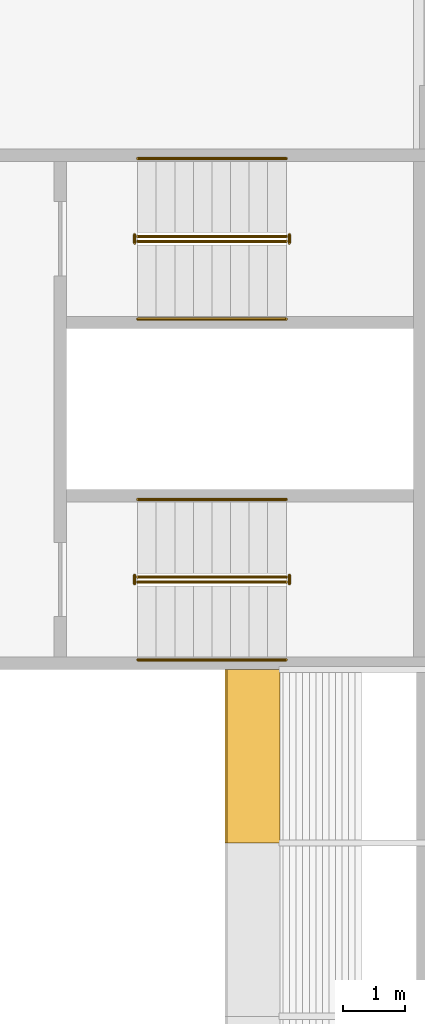
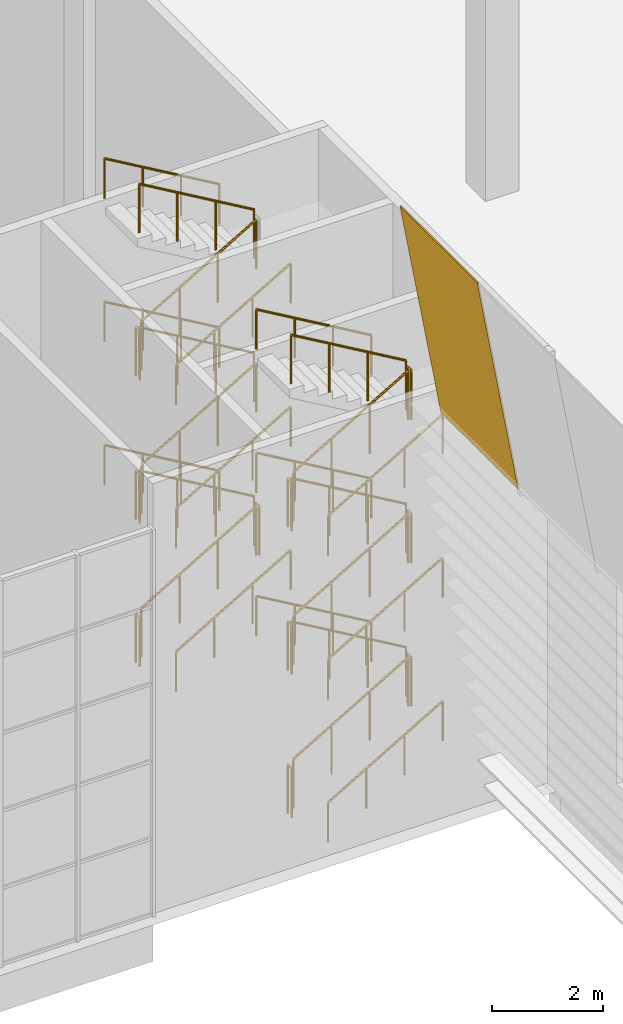
# One storey, part 102 of 114: 34 railings, 1 covering.
"""IFC4 building model written with IfcOpenShell, lengths in metres."""

from ifc_helpers import new_model, si_unit, direction, frame, origin, origin_2d, place, context, subcontext, project, spatial, polyline, circle, outline, extrude, material, layer, layer_set, type_object, element, save


model = new_model("IFC4")

# Units and contexts
model_context = context("Model", 3, precision=1e-05, world=origin(), true_north=direction((0.0, 1.0)))
body_context = subcontext(model_context, "Body", "Model", "MODEL_VIEW")
ifc_project = project(units=[si_unit("LENGTHUNIT", "METRE"), si_unit("AREAUNIT", "SQUARE_METRE"), si_unit("VOLUMEUNIT", "CUBIC_METRE"), si_unit("PLANEANGLEUNIT", "RADIAN"), si_unit("MASSUNIT", "GRAM", prefix="KILO")], contexts=[model_context])

# Site, building, storey
site_placement = place(None, origin())
site = spatial("IfcSite", under=ifc_project, at=site_placement, CompositionType="ELEMENT")
building_placement = place(site_placement, origin())
building = spatial("IfcBuilding", under=site, at=building_placement, Name="Almond Square Museum", CompositionType="ELEMENT")
storey_placement = place(building_placement, frame((0.0, 0.0, 10.5)))
storey = spatial("IfcBuildingStorey", under=building, at=storey_placement, Name="L02", CompositionType="ELEMENT", Elevation=10.5)

# Covering
ifc_material_1 = material(Name="Cedar timber sheathing panel", Category="wood")
ifc_layer = layer(ifc_material_1, 0.030029296875)
ifc_layer_set = layer_set([ifc_layer], Name="Cedar timber sheathing panel")
covering_type = type_object("IfcCoveringType", Name="Louvre rain-screen backing panel 30", PredefinedType="CLADDING", material=ifc_layer_set)
covering_placement = place(storey_placement, frame((104.435302734375, 64.39990234375, 8.969970703125), z_axis=(0.984808947576, 0.0, 0.173641402823), x_axis=(0.0, 1.0, 0.0)))
element("IfcCovering", 1, at=covering_placement, inside=storey, type_object=covering_type, Name="Louvre rain-screen backing panel W06.05", PredefinedType="CLADDING", context=body_context, shape_type="SweptSolid", body=[
    extrude(outline(polyline([(0.0, 0.0), (2.800048828125, 0.0), (2.800048828125, 4.935076426587713), (0.0, 4.935076426587713), (0.0, 0.0)])), frame((0.0, 0.0, -0.01513671875)), (0.0, 0.0, 1.0), 0.030029296875),
])

# Railings
ifc_material_2 = material(Name="Stainless steel and laminated glass", Category="steel")
railing_type_1 = type_object("IfcRailingType", Name="Stair guard 1100 steel and glass", PredefinedType="GUARDRAIL", material=ifc_material_2)
railing_1_placement = place(storey_placement, frame((102.14990234375, 68.610107421875, 0.176025390625)))
element("IfcRailing", 2, at=railing_1_placement, inside=storey, type_object=railing_type_1, Name="L02 ST-11 stair guard 1", PredefinedType="GUARDRAIL", context=body_context, shape_type="SweptSolid", body=[
    extrude(circle(Radius=0.02392578125, at=origin_2d()), frame((0.0, 0.0, 1.076171875), z_axis=(0.862659684245, 0.0, 0.505784805207), x_axis=(0.0, 1.0, 0.0)), (0.0, 0.0, 1.0), 2.7822265625),
    extrude(circle(Radius=0.02099609375, at=origin_2d()), origin(), (0.0, 0.0, 1.0), 1.052001953125),
    extrude(circle(Radius=0.02099609375, at=origin_2d()), frame((0.800048828125, 0.0, 0.468994140625)), (0.0, 0.0, 1.0), 1.052001953125),
    extrude(circle(Radius=0.02099609375, at=origin_2d()), frame((1.60009765625, 0.0, 0.938232421875)), (0.0, 0.0, 1.0), 1.052001953125),
    extrude(circle(Radius=0.02099609375, at=origin_2d()), frame((2.400146484375, 0.0, 1.4072265625)), (0.0, 0.0, 1.0), 1.052001953125),
])
railing_2_placement = place(storey_placement, frame((104.60009765625, 68.580078125, 1.583251953125)))
element("IfcRailing", 3, at=railing_2_placement, inside=storey, type_object=railing_type_1, Name="L02 ST-11 stair guard 2", PredefinedType="GUARDRAIL", context=body_context, shape_type="SweptSolid", body=[
    extrude(circle(Radius=0.02392578125, at=origin_2d()), frame((0.0, 0.0, 1.076171875), z_axis=(0.0, 1.0, 0.0), x_axis=(-1.0, 0.0, 0.0)), (0.0, 0.0, 1.0), 0.139892578125),
    extrude(circle(Radius=0.02099609375, at=origin_2d()), origin(), (0.0, 0.0, 1.0), 1.052001953125),
    extrude(circle(Radius=0.02099609375, at=origin_2d()), frame((0.0, 0.139892578125, 0.0)), (0.0, 0.0, 1.0), 1.052001953125),
])
railing_3_placement = place(storey_placement, frame((104.550048828125, 68.68994140625, 1.75927734375)))
element("IfcRailing", 4, at=railing_3_placement, inside=storey, type_object=railing_type_1, Name="L02 ST-11 stair guard 3", PredefinedType="GUARDRAIL", context=body_context, shape_type="SweptSolid", body=[
    extrude(circle(Radius=0.02392578125, at=origin_2d()), frame((0.0, 0.0, 1.076171875), z_axis=(-0.862621396848, 0.0, 0.505850102007), x_axis=(0.0, -1.0, 0.0)), (0.0, 0.0, 1.0), 2.782470703125),
    extrude(circle(Radius=0.02099609375, at=origin_2d()), origin(), (0.0, 0.0, 1.0), 1.052001953125),
    extrude(circle(Radius=0.02099609375, at=origin_2d()), frame((-0.800048828125, 0.0, 0.46923828125)), (0.0, 0.0, 1.0), 1.052001953125),
    extrude(circle(Radius=0.02099609375, at=origin_2d()), frame((-1.60009765625, 0.0, 0.938232421875)), (0.0, 0.0, 1.0), 1.052001953125),
    extrude(circle(Radius=0.02099609375, at=origin_2d()), frame((-2.400146484375, 0.0, 1.407470703125)), (0.0, 0.0, 1.0), 1.052001953125),
])
railing_4_placement = place(storey_placement, frame((102.10009765625, 68.580078125, 3.166748046875)))
element("IfcRailing", 5, at=railing_4_placement, inside=storey, type_object=railing_type_1, Name="L02 ST-11 stair guard 4", PredefinedType="GUARDRAIL", context=body_context, shape_type="SweptSolid", body=[
    extrude(circle(Radius=0.02392578125, at=origin_2d()), frame((0.0, 0.0, 1.076171875), z_axis=(0.0, 1.0, 0.0), x_axis=(-1.0, 0.0, 0.0)), (0.0, 0.0, 1.0), 0.139892578125),
    extrude(circle(Radius=0.02099609375, at=origin_2d()), origin(), (0.0, 0.0, 1.0), 1.052001953125),
    extrude(circle(Radius=0.02099609375, at=origin_2d()), frame((0.0, 0.139892578125, 0.0)), (0.0, 0.0, 1.0), 1.052001953125),
])
railing_5_placement = place(storey_placement, frame((102.14990234375, 68.610107421875, 3.342529296875)))
element("IfcRailing", 6, at=railing_5_placement, inside=storey, type_object=railing_type_1, Name="L02 ST-11 stair guard 5", PredefinedType="GUARDRAIL", context=body_context, shape_type="SweptSolid", body=[
    extrude(circle(Radius=0.02392578125, at=origin_2d()), frame((0.0, 0.0, 1.076171875), z_axis=(0.862621396848, 0.0, 0.505850102007), x_axis=(0.0, 1.0, 0.0)), (0.0, 0.0, 1.0), 2.782470703125),
    extrude(circle(Radius=0.02099609375, at=origin_2d()), origin(), (0.0, 0.0, 1.0), 1.052001953125),
    extrude(circle(Radius=0.02099609375, at=origin_2d()), frame((0.800048828125, 0.0, 0.46923828125)), (0.0, 0.0, 1.0), 1.052001953125),
    extrude(circle(Radius=0.02099609375, at=origin_2d()), frame((1.60009765625, 0.0, 0.938232421875)), (0.0, 0.0, 1.0), 1.052001953125),
    extrude(circle(Radius=0.02099609375, at=origin_2d()), frame((2.400146484375, 0.0, 1.407470703125)), (0.0, 0.0, 1.0), 1.052001953125),
])
railing_6_placement = place(storey_placement, frame((104.60009765625, 68.580078125, 4.75)))
element("IfcRailing", 7, at=railing_6_placement, inside=storey, type_object=railing_type_1, Name="L02 ST-11 stair guard 6", PredefinedType="GUARDRAIL", context=body_context, shape_type="SweptSolid", body=[
    extrude(circle(Radius=0.02392578125, at=origin_2d()), frame((0.0, 0.0, 1.076171875), z_axis=(0.0, 1.0, 0.0), x_axis=(-1.0, 0.0, 0.0)), (0.0, 0.0, 1.0), 0.139892578125),
    extrude(circle(Radius=0.02099609375, at=origin_2d()), origin(), (0.0, 0.0, 1.0), 1.052001953125),
    extrude(circle(Radius=0.02099609375, at=origin_2d()), frame((0.0, 0.139892578125, 0.0)), (0.0, 0.0, 1.0), 1.052001953125),
])
railing_7_placement = place(storey_placement, frame((104.550048828125, 68.68994140625, 4.926025390625)))
element("IfcRailing", 8, at=railing_7_placement, inside=storey, type_object=railing_type_1, Name="L02 ST-11 stair guard 7", PredefinedType="GUARDRAIL", context=body_context, shape_type="SweptSolid", body=[
    extrude(circle(Radius=0.02392578125, at=origin_2d()), frame((0.0, 0.0, 1.076171875), z_axis=(-0.862659684245, 0.0, 0.505784805207), x_axis=(0.0, -1.0, 0.0)), (0.0, 0.0, 1.0), 2.7822265625),
    extrude(circle(Radius=0.02099609375, at=origin_2d()), origin(), (0.0, 0.0, 1.0), 1.052001953125),
    extrude(circle(Radius=0.02099609375, at=origin_2d()), frame((-0.800048828125, 0.0, 0.468994140625)), (0.0, 0.0, 1.0), 1.052001953125),
    extrude(circle(Radius=0.02099609375, at=origin_2d()), frame((-1.60009765625, 0.0, 0.938232421875)), (0.0, 0.0, 1.0), 1.052001953125),
    extrude(circle(Radius=0.02099609375, at=origin_2d()), frame((-2.400146484375, 0.0, 1.4072265625)), (0.0, 0.0, 1.0), 1.052001953125),
])
railing_8_placement = place(storey_placement, frame((102.10009765625, 68.580078125, 6.333251953125)))
element("IfcRailing", 9, at=railing_8_placement, inside=storey, type_object=railing_type_1, Name="L02 ST-11 stair guard 8", PredefinedType="GUARDRAIL", context=body_context, shape_type="SweptSolid", body=[
    extrude(circle(Radius=0.02392578125, at=origin_2d()), frame((0.0, 0.0, 1.076171875), z_axis=(0.0, 1.0, 0.0), x_axis=(-1.0, 0.0, 0.0)), (0.0, 0.0, 1.0), 0.139892578125),
    extrude(circle(Radius=0.02099609375, at=origin_2d()), origin(), (0.0, 0.0, 1.0), 1.052001953125),
    extrude(circle(Radius=0.02099609375, at=origin_2d()), frame((0.0, 0.139892578125, 0.0)), (0.0, 0.0, 1.0), 1.052001953125),
])
railing_9_placement = place(storey_placement, frame((102.14990234375, 68.610107421875, 6.50927734375)))
element("IfcRailing", 10, at=railing_9_placement, inside=storey, type_object=railing_type_1, Name="L02 ST-11 stair guard 9", PredefinedType="GUARDRAIL", context=body_context, shape_type="SweptSolid", body=[
    extrude(circle(Radius=0.02392578125, at=origin_2d()), frame((0.0, 0.0, 1.076171875), z_axis=(0.862621396848, 0.0, 0.505850102007), x_axis=(0.0, 1.0, 0.0)), (0.0, 0.0, 1.0), 2.782470703125),
    extrude(circle(Radius=0.02099609375, at=origin_2d()), origin(), (0.0, 0.0, 1.0), 1.052001953125),
    extrude(circle(Radius=0.02099609375, at=origin_2d()), frame((0.800048828125, 0.0, 0.46923828125)), (0.0, 0.0, 1.0), 1.052001953125),
    extrude(circle(Radius=0.02099609375, at=origin_2d()), frame((1.60009765625, 0.0, 0.938232421875)), (0.0, 0.0, 1.0), 1.052001953125),
    extrude(circle(Radius=0.02099609375, at=origin_2d()), frame((2.400146484375, 0.0, 1.407470703125)), (0.0, 0.0, 1.0), 1.052001953125),
])
railing_10_placement = place(storey_placement, frame((104.60009765625, 68.580078125, 7.916748046875)))
element("IfcRailing", 11, at=railing_10_placement, inside=storey, type_object=railing_type_1, Name="L02 ST-11 stair guard 10", PredefinedType="GUARDRAIL", context=body_context, shape_type="SweptSolid", body=[
    extrude(circle(Radius=0.02392578125, at=origin_2d()), frame((0.0, 0.0, 1.076171875), z_axis=(0.0, 1.0, 0.0), x_axis=(-1.0, 0.0, 0.0)), (0.0, 0.0, 1.0), 0.139892578125),
    extrude(circle(Radius=0.02099609375, at=origin_2d()), origin(), (0.0, 0.0, 1.0), 1.052001953125),
    extrude(circle(Radius=0.02099609375, at=origin_2d()), frame((0.0, 0.139892578125, 0.0)), (0.0, 0.0, 1.0), 1.052001953125),
])
railing_11_placement = place(storey_placement, frame((104.550048828125, 68.68994140625, 8.092529296875)))
element("IfcRailing", 12, at=railing_11_placement, inside=storey, type_object=railing_type_1, Name="L02 ST-11 stair guard 11", PredefinedType="GUARDRAIL", context=body_context, shape_type="SweptSolid", body=[
    extrude(circle(Radius=0.02392578125, at=origin_2d()), frame((0.0, 0.0, 1.076171875), z_axis=(-0.862621396848, 0.0, 0.505850102007), x_axis=(0.0, -1.0, 0.0)), (0.0, 0.0, 1.0), 2.782470703125),
    extrude(circle(Radius=0.02099609375, at=origin_2d()), origin(), (0.0, 0.0, 1.0), 1.052001953125),
    extrude(circle(Radius=0.02099609375, at=origin_2d()), frame((-0.800048828125, 0.0, 0.46923828125)), (0.0, 0.0, 1.0), 1.052001953125),
    extrude(circle(Radius=0.02099609375, at=origin_2d()), frame((-1.60009765625, 0.0, 0.938232421875)), (0.0, 0.0, 1.0), 1.052001953125),
    extrude(circle(Radius=0.02099609375, at=origin_2d()), frame((-2.400146484375, 0.0, 1.407470703125)), (0.0, 0.0, 1.0), 1.052001953125),
])
railing_12_placement = place(storey_placement, frame((102.10009765625, 68.580078125, 0.0)))
element("IfcRailing", 13, at=railing_12_placement, inside=storey, type_object=railing_type_1, Name="L02 ST-11 stair guard 12", PredefinedType="GUARDRAIL", context=body_context, shape_type="SweptSolid", body=[
    extrude(circle(Radius=0.02392578125, at=origin_2d()), frame((0.0, 0.0, 1.076171875), z_axis=(0.0, 1.0, 0.0), x_axis=(-1.0, 0.0, 0.0)), (0.0, 0.0, 1.0), 0.139892578125),
    extrude(circle(Radius=0.02099609375, at=origin_2d()), origin(), (0.0, 0.0, 1.0), 1.052001953125),
    extrude(circle(Radius=0.02099609375, at=origin_2d()), frame((0.0, 0.139892578125, 0.0)), (0.0, 0.0, 1.0), 1.052001953125),
])
railing_13_placement = place(storey_placement, frame((102.14990234375, 74.110107421875, 0.176025390625)))
element("IfcRailing", 14, at=railing_13_placement, inside=storey, type_object=railing_type_1, Name="L02 ST-12 stair guard 1", PredefinedType="GUARDRAIL", context=body_context, shape_type="SweptSolid", body=[
    extrude(circle(Radius=0.02392578125, at=origin_2d()), frame((0.0, 0.0, 1.076171875), z_axis=(0.862659684245, 0.0, 0.505784805207), x_axis=(0.0, 1.0, 0.0)), (0.0, 0.0, 1.0), 2.7822265625),
    extrude(circle(Radius=0.02099609375, at=origin_2d()), origin(), (0.0, 0.0, 1.0), 1.052001953125),
    extrude(circle(Radius=0.02099609375, at=origin_2d()), frame((0.800048828125, 0.0, 0.468994140625)), (0.0, 0.0, 1.0), 1.052001953125),
    extrude(circle(Radius=0.02099609375, at=origin_2d()), frame((1.60009765625, 0.0, 0.938232421875)), (0.0, 0.0, 1.0), 1.052001953125),
    extrude(circle(Radius=0.02099609375, at=origin_2d()), frame((2.400146484375, 0.0, 1.4072265625)), (0.0, 0.0, 1.0), 1.052001953125),
])
railing_14_placement = place(storey_placement, frame((104.60009765625, 74.080078125, 1.583251953125)))
element("IfcRailing", 15, at=railing_14_placement, inside=storey, type_object=railing_type_1, Name="L02 ST-12 stair guard 2", PredefinedType="GUARDRAIL", context=body_context, shape_type="SweptSolid", body=[
    extrude(circle(Radius=0.02392578125, at=origin_2d()), frame((0.0, 0.0, 1.076171875), z_axis=(0.0, 1.0, 0.0), x_axis=(-1.0, 0.0, 0.0)), (0.0, 0.0, 1.0), 0.139892578125),
    extrude(circle(Radius=0.02099609375, at=origin_2d()), origin(), (0.0, 0.0, 1.0), 1.052001953125),
    extrude(circle(Radius=0.02099609375, at=origin_2d()), frame((0.0, 0.139892578125, 0.0)), (0.0, 0.0, 1.0), 1.052001953125),
])
railing_15_placement = place(storey_placement, frame((104.550048828125, 74.18994140625, 1.75927734375)))
element("IfcRailing", 16, at=railing_15_placement, inside=storey, type_object=railing_type_1, Name="L02 ST-12 stair guard 3", PredefinedType="GUARDRAIL", context=body_context, shape_type="SweptSolid", body=[
    extrude(circle(Radius=0.02392578125, at=origin_2d()), frame((0.0, 0.0, 1.076171875), z_axis=(-0.862621396848, 0.0, 0.505850102007), x_axis=(0.0, -1.0, 0.0)), (0.0, 0.0, 1.0), 2.782470703125),
    extrude(circle(Radius=0.02099609375, at=origin_2d()), origin(), (0.0, 0.0, 1.0), 1.052001953125),
    extrude(circle(Radius=0.02099609375, at=origin_2d()), frame((-0.800048828125, 0.0, 0.46923828125)), (0.0, 0.0, 1.0), 1.052001953125),
    extrude(circle(Radius=0.02099609375, at=origin_2d()), frame((-1.60009765625, 0.0, 0.938232421875)), (0.0, 0.0, 1.0), 1.052001953125),
    extrude(circle(Radius=0.02099609375, at=origin_2d()), frame((-2.400146484375, 0.0, 1.407470703125)), (0.0, 0.0, 1.0), 1.052001953125),
])
railing_16_placement = place(storey_placement, frame((102.10009765625, 74.080078125, 3.166748046875)))
element("IfcRailing", 17, at=railing_16_placement, inside=storey, type_object=railing_type_1, Name="L02 ST-12 stair guard 4", PredefinedType="GUARDRAIL", context=body_context, shape_type="SweptSolid", body=[
    extrude(circle(Radius=0.02392578125, at=origin_2d()), frame((0.0, 0.0, 1.076171875), z_axis=(0.0, 1.0, 0.0), x_axis=(-1.0, 0.0, 0.0)), (0.0, 0.0, 1.0), 0.139892578125),
    extrude(circle(Radius=0.02099609375, at=origin_2d()), origin(), (0.0, 0.0, 1.0), 1.052001953125),
    extrude(circle(Radius=0.02099609375, at=origin_2d()), frame((0.0, 0.139892578125, 0.0)), (0.0, 0.0, 1.0), 1.052001953125),
])
railing_17_placement = place(storey_placement, frame((102.14990234375, 74.110107421875, 3.342529296875)))
element("IfcRailing", 18, at=railing_17_placement, inside=storey, type_object=railing_type_1, Name="L02 ST-12 stair guard 5", PredefinedType="GUARDRAIL", context=body_context, shape_type="SweptSolid", body=[
    extrude(circle(Radius=0.02392578125, at=origin_2d()), frame((0.0, 0.0, 1.076171875), z_axis=(0.862621396848, 0.0, 0.505850102007), x_axis=(0.0, 1.0, 0.0)), (0.0, 0.0, 1.0), 2.782470703125),
    extrude(circle(Radius=0.02099609375, at=origin_2d()), origin(), (0.0, 0.0, 1.0), 1.052001953125),
    extrude(circle(Radius=0.02099609375, at=origin_2d()), frame((0.800048828125, 0.0, 0.46923828125)), (0.0, 0.0, 1.0), 1.052001953125),
    extrude(circle(Radius=0.02099609375, at=origin_2d()), frame((1.60009765625, 0.0, 0.938232421875)), (0.0, 0.0, 1.0), 1.052001953125),
    extrude(circle(Radius=0.02099609375, at=origin_2d()), frame((2.400146484375, 0.0, 1.407470703125)), (0.0, 0.0, 1.0), 1.052001953125),
])
railing_18_placement = place(storey_placement, frame((104.550048828125, 74.18994140625, 4.926025390625)))
element("IfcRailing", 19, at=railing_18_placement, inside=storey, type_object=railing_type_1, Name="L02 ST-12 stair guard 7", PredefinedType="GUARDRAIL", context=body_context, shape_type="SweptSolid", body=[
    extrude(circle(Radius=0.02392578125, at=origin_2d()), frame((0.0, 0.0, 1.076171875), z_axis=(-0.862659684245, 0.0, 0.505784805207), x_axis=(0.0, -1.0, 0.0)), (0.0, 0.0, 1.0), 2.7822265625),
    extrude(circle(Radius=0.02099609375, at=origin_2d()), origin(), (0.0, 0.0, 1.0), 1.052001953125),
    extrude(circle(Radius=0.02099609375, at=origin_2d()), frame((-0.800048828125, 0.0, 0.468994140625)), (0.0, 0.0, 1.0), 1.052001953125),
    extrude(circle(Radius=0.02099609375, at=origin_2d()), frame((-1.60009765625, 0.0, 0.938232421875)), (0.0, 0.0, 1.0), 1.052001953125),
    extrude(circle(Radius=0.02099609375, at=origin_2d()), frame((-2.400146484375, 0.0, 1.4072265625)), (0.0, 0.0, 1.0), 1.052001953125),
])
railing_19_placement = place(storey_placement, frame((102.10009765625, 74.080078125, 6.333251953125)))
element("IfcRailing", 20, at=railing_19_placement, inside=storey, type_object=railing_type_1, Name="L02 ST-12 stair guard 8", PredefinedType="GUARDRAIL", context=body_context, shape_type="SweptSolid", body=[
    extrude(circle(Radius=0.02392578125, at=origin_2d()), frame((0.0, 0.0, 1.076171875), z_axis=(0.0, 1.0, 0.0), x_axis=(-1.0, 0.0, 0.0)), (0.0, 0.0, 1.0), 0.139892578125),
    extrude(circle(Radius=0.02099609375, at=origin_2d()), origin(), (0.0, 0.0, 1.0), 1.052001953125),
    extrude(circle(Radius=0.02099609375, at=origin_2d()), frame((0.0, 0.139892578125, 0.0)), (0.0, 0.0, 1.0), 1.052001953125),
])
railing_20_placement = place(storey_placement, frame((102.14990234375, 74.110107421875, 6.50927734375)))
element("IfcRailing", 21, at=railing_20_placement, inside=storey, type_object=railing_type_1, Name="L02 ST-12 stair guard 9", PredefinedType="GUARDRAIL", context=body_context, shape_type="SweptSolid", body=[
    extrude(circle(Radius=0.02392578125, at=origin_2d()), frame((0.0, 0.0, 1.076171875), z_axis=(0.862621396848, 0.0, 0.505850102007), x_axis=(0.0, 1.0, 0.0)), (0.0, 0.0, 1.0), 2.782470703125),
    extrude(circle(Radius=0.02099609375, at=origin_2d()), origin(), (0.0, 0.0, 1.0), 1.052001953125),
    extrude(circle(Radius=0.02099609375, at=origin_2d()), frame((0.800048828125, 0.0, 0.46923828125)), (0.0, 0.0, 1.0), 1.052001953125),
    extrude(circle(Radius=0.02099609375, at=origin_2d()), frame((1.60009765625, 0.0, 0.938232421875)), (0.0, 0.0, 1.0), 1.052001953125),
    extrude(circle(Radius=0.02099609375, at=origin_2d()), frame((2.400146484375, 0.0, 1.407470703125)), (0.0, 0.0, 1.0), 1.052001953125),
])
railing_21_placement = place(storey_placement, frame((104.550048828125, 74.18994140625, 8.092529296875)))
element("IfcRailing", 22, at=railing_21_placement, inside=storey, type_object=railing_type_1, Name="L02 ST-12 stair guard 11", PredefinedType="GUARDRAIL", context=body_context, shape_type="SweptSolid", body=[
    extrude(circle(Radius=0.02392578125, at=origin_2d()), frame((0.0, 0.0, 1.076171875), z_axis=(-0.862621396848, 0.0, 0.505850102007), x_axis=(0.0, -1.0, 0.0)), (0.0, 0.0, 1.0), 2.782470703125),
    extrude(circle(Radius=0.02099609375, at=origin_2d()), origin(), (0.0, 0.0, 1.0), 1.052001953125),
    extrude(circle(Radius=0.02099609375, at=origin_2d()), frame((-0.800048828125, 0.0, 0.46923828125)), (0.0, 0.0, 1.0), 1.052001953125),
    extrude(circle(Radius=0.02099609375, at=origin_2d()), frame((-1.60009765625, 0.0, 0.938232421875)), (0.0, 0.0, 1.0), 1.052001953125),
    extrude(circle(Radius=0.02099609375, at=origin_2d()), frame((-2.400146484375, 0.0, 1.407470703125)), (0.0, 0.0, 1.0), 1.052001953125),
])
railing_22_placement = place(storey_placement, frame((102.10009765625, 74.080078125, 0.0)))
element("IfcRailing", 23, at=railing_22_placement, inside=storey, type_object=railing_type_1, Name="L02 ST-12 stair guard 12", PredefinedType="GUARDRAIL", context=body_context, shape_type="SweptSolid", body=[
    extrude(circle(Radius=0.02392578125, at=origin_2d()), frame((0.0, 0.0, 1.076171875), z_axis=(0.0, 1.0, 0.0), x_axis=(-1.0, 0.0, 0.0)), (0.0, 0.0, 1.0), 0.139892578125),
    extrude(circle(Radius=0.02099609375, at=origin_2d()), origin(), (0.0, 0.0, 1.0), 1.052001953125),
    extrude(circle(Radius=0.02099609375, at=origin_2d()), frame((0.0, 0.139892578125, 0.0)), (0.0, 0.0, 1.0), 1.052001953125),
])
ifc_material_3 = material(Name="Stainless steel", Category="steel")
railing_type_2 = type_object("IfcRailingType", Name="Stair handrail 900 steel", PredefinedType="HANDRAIL", material=ifc_material_3)
railing_23_placement = place(storey_placement, frame((102.14990234375, 67.35498046875, 0.176025390625)))
element("IfcRailing", 24, at=railing_23_placement, inside=storey, type_object=railing_type_2, Name="L02 ST-11 stair handrail 1", PredefinedType="HANDRAIL", context=body_context, shape_type="SweptSolid", body=[
    extrude(circle(Radius=0.02392578125, at=origin_2d()), frame((0.0, 0.0, 0.8759765625), z_axis=(0.862659684245, 0.0, 0.505784805207), x_axis=(0.0, 1.0, 0.0)), (0.0, 0.0, 1.0), 2.7822265625),
    extrude(circle(Radius=0.02099609375, at=origin_2d()), origin(), (0.0, 0.0, 1.0), 0.851806640625),
    extrude(circle(Radius=0.02099609375, at=origin_2d()), frame((0.800048828125, 0.0, 0.468994140625)), (0.0, 0.0, 1.0), 0.851806640625),
    extrude(circle(Radius=0.02099609375, at=origin_2d()), frame((1.60009765625, 0.0, 0.938232421875)), (0.0, 0.0, 1.0), 0.851806640625),
    extrude(circle(Radius=0.02099609375, at=origin_2d()), frame((2.400146484375, 0.0, 1.4072265625)), (0.0, 0.0, 1.0), 0.851806640625),
])
railing_24_placement = place(storey_placement, frame((104.550048828125, 69.945068359375, 1.75927734375)))
element("IfcRailing", 25, at=railing_24_placement, inside=storey, type_object=railing_type_2, Name="L02 ST-11 stair handrail 2", PredefinedType="HANDRAIL", context=body_context, shape_type="SweptSolid", body=[
    extrude(circle(Radius=0.02392578125, at=origin_2d()), frame((0.0, 0.0, 0.8759765625), z_axis=(-0.862621396848, 0.0, 0.505850102007), x_axis=(0.0, -1.0, 0.0)), (0.0, 0.0, 1.0), 2.782470703125),
    extrude(circle(Radius=0.02099609375, at=origin_2d()), origin(), (0.0, 0.0, 1.0), 0.851806640625),
    extrude(circle(Radius=0.02099609375, at=origin_2d()), frame((-0.800048828125, 0.0, 0.46923828125)), (0.0, 0.0, 1.0), 0.851806640625),
    extrude(circle(Radius=0.02099609375, at=origin_2d()), frame((-1.60009765625, 0.0, 0.938232421875)), (0.0, 0.0, 1.0), 0.851806640625),
    extrude(circle(Radius=0.02099609375, at=origin_2d()), frame((-2.400146484375, 0.0, 1.407470703125)), (0.0, 0.0, 1.0), 0.851806640625),
])
railing_25_placement = place(storey_placement, frame((102.14990234375, 67.35498046875, 3.342529296875)))
element("IfcRailing", 26, at=railing_25_placement, inside=storey, type_object=railing_type_2, Name="L02 ST-11 stair handrail 3", PredefinedType="HANDRAIL", context=body_context, shape_type="SweptSolid", body=[
    extrude(circle(Radius=0.02392578125, at=origin_2d()), frame((0.0, 0.0, 0.8759765625), z_axis=(0.862621396848, 0.0, 0.505850102007), x_axis=(0.0, 1.0, 0.0)), (0.0, 0.0, 1.0), 2.782470703125),
    extrude(circle(Radius=0.02099609375, at=origin_2d()), origin(), (0.0, 0.0, 1.0), 0.851806640625),
    extrude(circle(Radius=0.02099609375, at=origin_2d()), frame((0.800048828125, 0.0, 0.46923828125)), (0.0, 0.0, 1.0), 0.851806640625),
    extrude(circle(Radius=0.02099609375, at=origin_2d()), frame((1.60009765625, 0.0, 0.938232421875)), (0.0, 0.0, 1.0), 0.851806640625),
    extrude(circle(Radius=0.02099609375, at=origin_2d()), frame((2.400146484375, 0.0, 1.407470703125)), (0.0, 0.0, 1.0), 0.851806640625),
])
railing_26_placement = place(storey_placement, frame((104.550048828125, 69.945068359375, 4.926025390625)))
element("IfcRailing", 27, at=railing_26_placement, inside=storey, type_object=railing_type_2, Name="L02 ST-11 stair handrail 4", PredefinedType="HANDRAIL", context=body_context, shape_type="SweptSolid", body=[
    extrude(circle(Radius=0.02392578125, at=origin_2d()), frame((0.0, 0.0, 0.8759765625), z_axis=(-0.862659684245, 0.0, 0.505784805207), x_axis=(0.0, -1.0, 0.0)), (0.0, 0.0, 1.0), 2.7822265625),
    extrude(circle(Radius=0.02099609375, at=origin_2d()), origin(), (0.0, 0.0, 1.0), 0.851806640625),
    extrude(circle(Radius=0.02099609375, at=origin_2d()), frame((-0.800048828125, 0.0, 0.468994140625)), (0.0, 0.0, 1.0), 0.851806640625),
    extrude(circle(Radius=0.02099609375, at=origin_2d()), frame((-1.60009765625, 0.0, 0.938232421875)), (0.0, 0.0, 1.0), 0.851806640625),
    extrude(circle(Radius=0.02099609375, at=origin_2d()), frame((-2.400146484375, 0.0, 1.4072265625)), (0.0, 0.0, 1.0), 0.851806640625),
])
railing_27_placement = place(storey_placement, frame((102.14990234375, 67.35498046875, 6.50927734375)))
element("IfcRailing", 28, at=railing_27_placement, inside=storey, type_object=railing_type_2, Name="L02 ST-11 stair handrail 5", PredefinedType="HANDRAIL", context=body_context, shape_type="SweptSolid", body=[
    extrude(circle(Radius=0.02392578125, at=origin_2d()), frame((0.0, 0.0, 0.8759765625), z_axis=(0.862621396848, 0.0, 0.505850102007), x_axis=(0.0, 1.0, 0.0)), (0.0, 0.0, 1.0), 2.782470703125),
    extrude(circle(Radius=0.02099609375, at=origin_2d()), origin(), (0.0, 0.0, 1.0), 0.851806640625),
    extrude(circle(Radius=0.02099609375, at=origin_2d()), frame((0.800048828125, 0.0, 0.46923828125)), (0.0, 0.0, 1.0), 0.851806640625),
    extrude(circle(Radius=0.02099609375, at=origin_2d()), frame((1.60009765625, 0.0, 0.938232421875)), (0.0, 0.0, 1.0), 0.851806640625),
    extrude(circle(Radius=0.02099609375, at=origin_2d()), frame((2.400146484375, 0.0, 1.407470703125)), (0.0, 0.0, 1.0), 0.851806640625),
])
railing_28_placement = place(storey_placement, frame((104.550048828125, 69.945068359375, 8.092529296875)))
element("IfcRailing", 29, at=railing_28_placement, inside=storey, type_object=railing_type_2, Name="L02 ST-11 stair handrail 6", PredefinedType="HANDRAIL", context=body_context, shape_type="SweptSolid", body=[
    extrude(circle(Radius=0.02392578125, at=origin_2d()), frame((0.0, 0.0, 0.8759765625), z_axis=(-0.862621396848, 0.0, 0.505850102007), x_axis=(0.0, -1.0, 0.0)), (0.0, 0.0, 1.0), 2.782470703125),
    extrude(circle(Radius=0.02099609375, at=origin_2d()), origin(), (0.0, 0.0, 1.0), 0.851806640625),
    extrude(circle(Radius=0.02099609375, at=origin_2d()), frame((-0.800048828125, 0.0, 0.46923828125)), (0.0, 0.0, 1.0), 0.851806640625),
    extrude(circle(Radius=0.02099609375, at=origin_2d()), frame((-1.60009765625, 0.0, 0.938232421875)), (0.0, 0.0, 1.0), 0.851806640625),
    extrude(circle(Radius=0.02099609375, at=origin_2d()), frame((-2.400146484375, 0.0, 1.407470703125)), (0.0, 0.0, 1.0), 0.851806640625),
])
railing_29_placement = place(storey_placement, frame((102.14990234375, 72.85498046875, 0.176025390625)))
element("IfcRailing", 30, at=railing_29_placement, inside=storey, type_object=railing_type_2, Name="L02 ST-12 stair handrail 1", PredefinedType="HANDRAIL", context=body_context, shape_type="SweptSolid", body=[
    extrude(circle(Radius=0.02392578125, at=origin_2d()), frame((0.0, 0.0, 0.8759765625), z_axis=(0.862659684245, 0.0, 0.505784805207), x_axis=(0.0, 1.0, 0.0)), (0.0, 0.0, 1.0), 2.7822265625),
    extrude(circle(Radius=0.02099609375, at=origin_2d()), origin(), (0.0, 0.0, 1.0), 0.851806640625),
    extrude(circle(Radius=0.02099609375, at=origin_2d()), frame((0.800048828125, 0.0, 0.468994140625)), (0.0, 0.0, 1.0), 0.851806640625),
    extrude(circle(Radius=0.02099609375, at=origin_2d()), frame((1.60009765625, 0.0, 0.938232421875)), (0.0, 0.0, 1.0), 0.851806640625),
    extrude(circle(Radius=0.02099609375, at=origin_2d()), frame((2.400146484375, 0.0, 1.4072265625)), (0.0, 0.0, 1.0), 0.851806640625),
])
railing_30_placement = place(storey_placement, frame((104.550048828125, 75.445068359375, 1.75927734375)))
element("IfcRailing", 31, at=railing_30_placement, inside=storey, type_object=railing_type_2, Name="L02 ST-12 stair handrail 2", PredefinedType="HANDRAIL", context=body_context, shape_type="SweptSolid", body=[
    extrude(circle(Radius=0.02392578125, at=origin_2d()), frame((0.0, 0.0, 0.8759765625), z_axis=(-0.862621396848, 0.0, 0.505850102007), x_axis=(0.0, -1.0, 0.0)), (0.0, 0.0, 1.0), 2.782470703125),
    extrude(circle(Radius=0.02099609375, at=origin_2d()), origin(), (0.0, 0.0, 1.0), 0.851806640625),
    extrude(circle(Radius=0.02099609375, at=origin_2d()), frame((-0.800048828125, 0.0, 0.46923828125)), (0.0, 0.0, 1.0), 0.851806640625),
    extrude(circle(Radius=0.02099609375, at=origin_2d()), frame((-1.60009765625, 0.0, 0.938232421875)), (0.0, 0.0, 1.0), 0.851806640625),
    extrude(circle(Radius=0.02099609375, at=origin_2d()), frame((-2.400146484375, 0.0, 1.407470703125)), (0.0, 0.0, 1.0), 0.851806640625),
])
railing_31_placement = place(storey_placement, frame((102.14990234375, 72.85498046875, 3.342529296875)))
element("IfcRailing", 32, at=railing_31_placement, inside=storey, type_object=railing_type_2, Name="L02 ST-12 stair handrail 3", PredefinedType="HANDRAIL", context=body_context, shape_type="SweptSolid", body=[
    extrude(circle(Radius=0.02392578125, at=origin_2d()), frame((0.0, 0.0, 0.8759765625), z_axis=(0.862621396848, 0.0, 0.505850102007), x_axis=(0.0, 1.0, 0.0)), (0.0, 0.0, 1.0), 2.782470703125),
    extrude(circle(Radius=0.02099609375, at=origin_2d()), origin(), (0.0, 0.0, 1.0), 0.851806640625),
    extrude(circle(Radius=0.02099609375, at=origin_2d()), frame((0.800048828125, 0.0, 0.46923828125)), (0.0, 0.0, 1.0), 0.851806640625),
    extrude(circle(Radius=0.02099609375, at=origin_2d()), frame((1.60009765625, 0.0, 0.938232421875)), (0.0, 0.0, 1.0), 0.851806640625),
    extrude(circle(Radius=0.02099609375, at=origin_2d()), frame((2.400146484375, 0.0, 1.407470703125)), (0.0, 0.0, 1.0), 0.851806640625),
])
railing_32_placement = place(storey_placement, frame((104.550048828125, 75.445068359375, 4.926025390625)))
element("IfcRailing", 33, at=railing_32_placement, inside=storey, type_object=railing_type_2, Name="L02 ST-12 stair handrail 4", PredefinedType="HANDRAIL", context=body_context, shape_type="SweptSolid", body=[
    extrude(circle(Radius=0.02392578125, at=origin_2d()), frame((0.0, 0.0, 0.8759765625), z_axis=(-0.862659684245, 0.0, 0.505784805207), x_axis=(0.0, -1.0, 0.0)), (0.0, 0.0, 1.0), 2.7822265625),
    extrude(circle(Radius=0.02099609375, at=origin_2d()), origin(), (0.0, 0.0, 1.0), 0.851806640625),
    extrude(circle(Radius=0.02099609375, at=origin_2d()), frame((-0.800048828125, 0.0, 0.468994140625)), (0.0, 0.0, 1.0), 0.851806640625),
    extrude(circle(Radius=0.02099609375, at=origin_2d()), frame((-1.60009765625, 0.0, 0.938232421875)), (0.0, 0.0, 1.0), 0.851806640625),
    extrude(circle(Radius=0.02099609375, at=origin_2d()), frame((-2.400146484375, 0.0, 1.4072265625)), (0.0, 0.0, 1.0), 0.851806640625),
])
railing_33_placement = place(storey_placement, frame((102.14990234375, 72.85498046875, 6.50927734375)))
element("IfcRailing", 34, at=railing_33_placement, inside=storey, type_object=railing_type_2, Name="L02 ST-12 stair handrail 5", PredefinedType="HANDRAIL", context=body_context, shape_type="SweptSolid", body=[
    extrude(circle(Radius=0.02392578125, at=origin_2d()), frame((0.0, 0.0, 0.8759765625), z_axis=(0.862621396848, 0.0, 0.505850102007), x_axis=(0.0, 1.0, 0.0)), (0.0, 0.0, 1.0), 2.782470703125),
    extrude(circle(Radius=0.02099609375, at=origin_2d()), origin(), (0.0, 0.0, 1.0), 0.851806640625),
    extrude(circle(Radius=0.02099609375, at=origin_2d()), frame((0.800048828125, 0.0, 0.46923828125)), (0.0, 0.0, 1.0), 0.851806640625),
    extrude(circle(Radius=0.02099609375, at=origin_2d()), frame((1.60009765625, 0.0, 0.938232421875)), (0.0, 0.0, 1.0), 0.851806640625),
    extrude(circle(Radius=0.02099609375, at=origin_2d()), frame((2.400146484375, 0.0, 1.407470703125)), (0.0, 0.0, 1.0), 0.851806640625),
])
railing_34_placement = place(storey_placement, frame((104.550048828125, 75.445068359375, 8.092529296875)))
element("IfcRailing", 35, at=railing_34_placement, inside=storey, type_object=railing_type_2, Name="L02 ST-12 stair handrail 6", PredefinedType="HANDRAIL", context=body_context, shape_type="SweptSolid", body=[
    extrude(circle(Radius=0.02392578125, at=origin_2d()), frame((0.0, 0.0, 0.8759765625), z_axis=(-0.862621396848, 0.0, 0.505850102007), x_axis=(0.0, -1.0, 0.0)), (0.0, 0.0, 1.0), 2.782470703125),
    extrude(circle(Radius=0.02099609375, at=origin_2d()), origin(), (0.0, 0.0, 1.0), 0.851806640625),
    extrude(circle(Radius=0.02099609375, at=origin_2d()), frame((-0.800048828125, 0.0, 0.46923828125)), (0.0, 0.0, 1.0), 0.851806640625),
    extrude(circle(Radius=0.02099609375, at=origin_2d()), frame((-1.60009765625, 0.0, 0.938232421875)), (0.0, 0.0, 1.0), 0.851806640625),
    extrude(circle(Radius=0.02099609375, at=origin_2d()), frame((-2.400146484375, 0.0, 1.407470703125)), (0.0, 0.0, 1.0), 0.851806640625),
])

save(model, "model.ifc")
